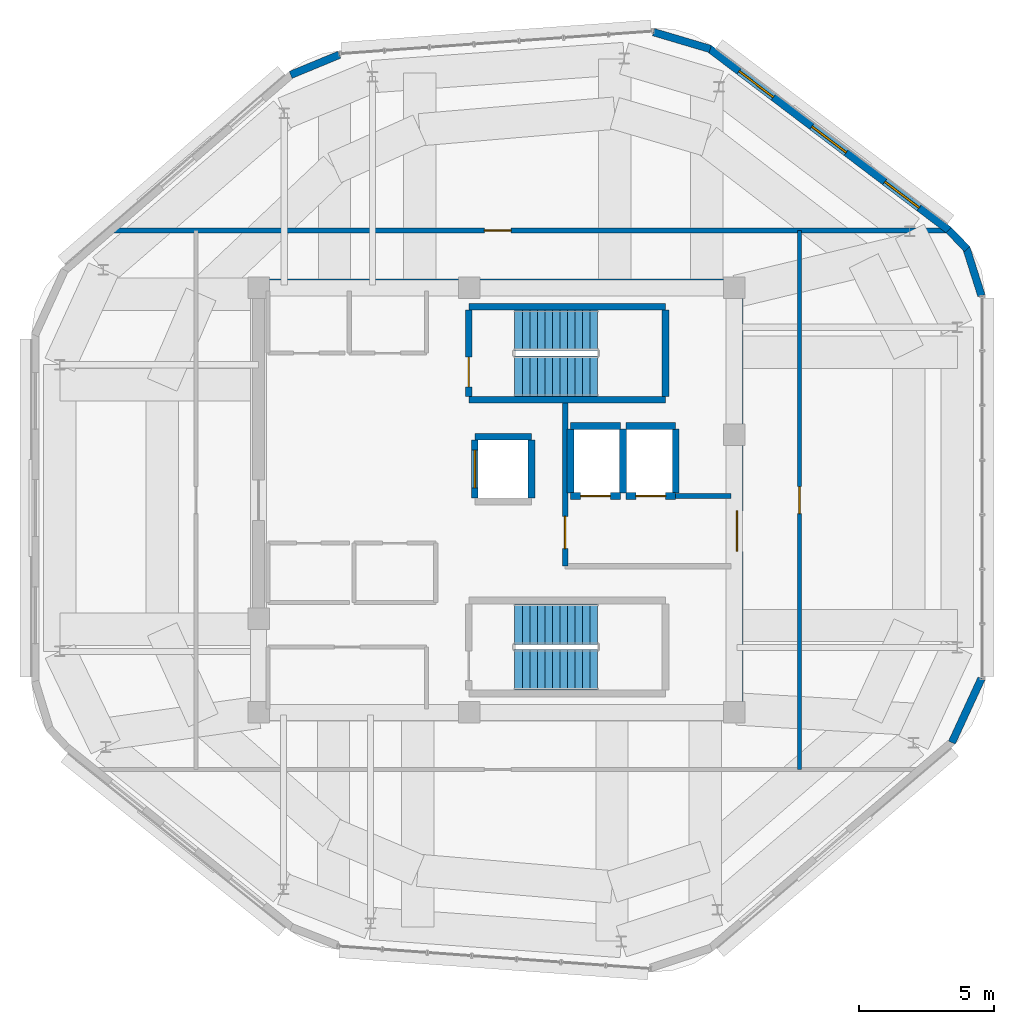
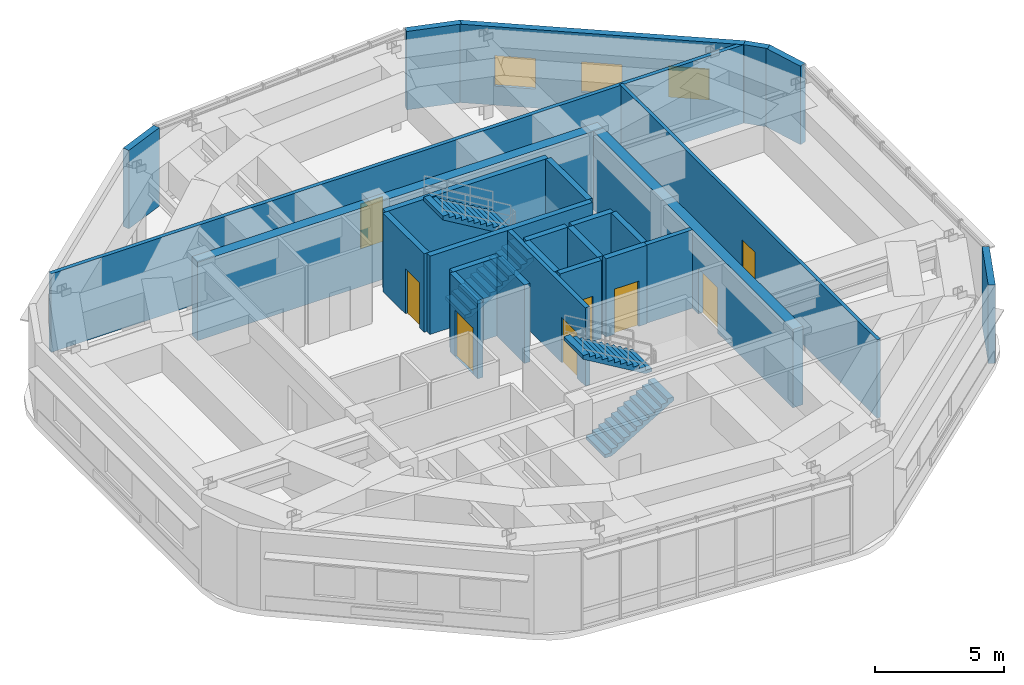
# One storey, part 11 of 12: 26 walls, 8 doors, 4 stair flights, 3 windows, 11 openings, 2 elements without a shape of their own.
"""IFC4 building model written with IfcOpenShell, lengths in metres."""

from ifc_helpers import new_model, si_unit, direction, frame, frame_2d, origin, place, context, subcontext, project, spatial, polyline, rectangle, outline, extrude, material, layer, layer_set, type_object, element, fill, aggregate, save


model = new_model("IFC4")

# Units and contexts
model_context = context("Model", 3, precision=1e-05, world=origin(), true_north=direction((0.0, 1.0)))
body_context = subcontext(model_context, "Body", "Model", "MODEL_VIEW")
ifc_project = project(units=[si_unit("LENGTHUNIT", "METRE"), si_unit("AREAUNIT", "SQUARE_METRE"), si_unit("VOLUMEUNIT", "CUBIC_METRE"), si_unit("PLANEANGLEUNIT", "RADIAN"), si_unit("MASSUNIT", "GRAM", prefix="KILO")], contexts=[model_context])

# Site, building, storey
site_placement = place(None, origin())
site = spatial("IfcSite", under=ifc_project, at=site_placement, CompositionType="ELEMENT")
building_placement = place(site_placement, origin())
building = spatial("IfcBuilding", under=site, at=building_placement, Name="Zulverin Broadcast Headquarters", CompositionType="ELEMENT")
storey_placement = place(building_placement, frame((0.0, 0.0, 325.39990234375)))
storey = spatial("IfcBuildingStorey", under=building, at=storey_placement, Name="C4", CompositionType="ELEMENT", Elevation=325.39990234375)

# Wall
ifc_material_1 = material(Name="Concrete C50/60", Category="concrete")
ifc_layer_1 = layer(ifc_material_1, 0.449951171875, Name="Concrete C50/60", Category="concrete")
ifc_layer_set_1 = layer_set([ifc_layer_1], Name="Concrete C50/60")
wall_type_1 = type_object("IfcWallType", Name="WL-CORE-450", PredefinedType="SHEAR", material=ifc_layer_set_1)
wall_1_placement = place(storey_placement, frame((30.39990234375, 33.175048828125, 0.0), z_axis=(0.0, 0.0, 1.0), x_axis=(1.0, 0.0, 0.0)))
element("IfcWall", 1, at=wall_1_placement, inside=storey, type_object=wall_type_1, Name="C4 Core North Shear Wall", PredefinedType="SHEAR", context=body_context, shape_type="SweptSolid", body=[
    extrude(rectangle(XDim=18.2001953125, YDim=0.449951171875, at=frame_2d((9.10009765625, 0.0))), origin(), (0.0, 0.0, 1.0), 3.72021484375),
])

# Wall, opening, door
wall_2_placement = place(storey_placement, frame((48.375, 17.449951171875, 0.0), z_axis=(0.0, 0.0, 1.0), x_axis=(0.0, 1.0, 0.0)))
wall_2 = element("IfcWall", 2, at=wall_2_placement, inside=storey, type_object=wall_type_1, Name="C4 Core East Shear Wall", PredefinedType="SHEAR", context=body_context, shape_type="SweptSolid", body=[
    extrude(rectangle(XDim=15.5, YDim=0.449951171875, at=frame_2d((7.75, 0.0))), origin(), (0.0, 0.0, 1.0), 3.72021484375),
])
opening_1_placement = place(wall_2_placement, frame((5.85009765625, 0.0, 0.0)))
opening_1 = element("IfcOpeningElement", 3, at=opening_1_placement, cuts=wall_2, Name="Opening D-C4-CE1", PredefinedType="OPENING", context=body_context, shape_type="SweptSolid", body=[
    extrude(rectangle(XDim=1.5, YDim=2.14990234375, at=frame_2d((0.75, 1.074951171875))), frame((0.0, 0.23486328125, 0.0), z_axis=(0.0, -1.0, 0.0), x_axis=(1.0, 0.0, 0.0)), (0.0, 0.0, 1.0), 0.469970703125),
])
ifc_material_2 = material(Name="Fire-rated glazed steel frame", Category="steel")
door_type_1 = type_object("IfcDoorType", Name="DR-COR-1500", OperationType="DOUBLE_DOOR_SINGLE_SWING", PredefinedType="DOOR", material=ifc_material_2)
door_1_placement = place(opening_1_placement, origin())
door_1 = element("IfcDoor", 4, at=door_1_placement, inside=storey, type_object=door_type_1, Name="C4 Firefighting Lobby East Corridor Door", OperationType="DOUBLE_DOOR_SINGLE_SWING", OverallHeight=2.14990234375, OverallWidth=1.5, PredefinedType="DOOR", context=body_context, shape_type="SweptSolid", body=[
    extrude(rectangle(XDim=1.5, YDim=2.14990234375, at=frame_2d((0.75, 1.074951171875))), frame((0.0, 0.02490234375, 0.0), z_axis=(0.0, -1.0, 0.0), x_axis=(1.0, 0.0, 0.0)), (0.0, 0.0, 1.0), 0.050048828125),
])
fill(opening_1, door_1)

# Wall, openings, windows
ifc_material_3 = material(Name="Insulated pale-metal clad concrete spandrel C40/50", Category="concrete")
ifc_layer_2 = layer(ifc_material_3, 0.280029296875, Name="Insulated pale-metal clad concrete spandrel C40/50", Category="concrete")
ifc_layer_set_2 = layer_set([ifc_layer_2], Name="Insulated pale-metal clad concrete spandrel C40/50")
wall_type_2 = type_object("IfcWallType", Name="WL-EXT-280", PredefinedType="STANDARD", material=ifc_layer_set_2)
wall_3_placement = place(storey_placement, frame((56.24951171875, 35.200927734375, 0.0), z_axis=(0.0, 0.0, 1.0), x_axis=(-0.796694895732, 0.60438170316, 0.0)))
wall_3 = element("IfcWall", 5, at=wall_3_placement, inside=storey, type_object=wall_type_2, Name="C4 Pale-Metal Clad Spandrel Wall 4", PredefinedType="STANDARD", context=body_context, shape_type="SweptSolid", body=[
    extrude(rectangle(XDim=11.182861328125, YDim=0.280029296875, at=frame_2d((5.59130859375, 0.0))), origin(), (0.0, 0.0, 1.0), 3.72021484375),
])
opening_2_placement = place(wall_3_placement, frame((1.397216796875, 0.0, 0.89990234375)))
opening_2 = element("IfcOpeningElement", 6, at=opening_2_placement, cuts=wall_3, Name="Opening W-C4-E41", PredefinedType="OPENING", context=body_context, shape_type="SweptSolid", body=[
    extrude(rectangle(XDim=1.60009765625, YDim=1.449951171875, at=frame_2d((0.800048828125, 0.72509765625))), frame((0.0, 0.14990234375, 0.0), z_axis=(0.0, -1.0, 0.0), x_axis=(1.0, 0.0, 0.0)), (0.0, 0.0, 1.0), 0.300048828125),
])
opening_3_placement = place(wall_3_placement, frame((4.79150390625, 0.0, 0.89990234375)))
opening_3 = element("IfcOpeningElement", 7, at=opening_3_placement, cuts=wall_3, Name="Opening W-C4-E42", PredefinedType="OPENING", context=body_context, shape_type="SweptSolid", body=[
    extrude(rectangle(XDim=1.60009765625, YDim=1.449951171875, at=frame_2d((0.800048828125, 0.72509765625))), frame((0.0, 0.14990234375, 0.0), z_axis=(0.0, -1.0, 0.0), x_axis=(1.0, 0.0, 0.0)), (0.0, 0.0, 1.0), 0.300048828125),
])
opening_4_placement = place(wall_3_placement, frame((8.185546875, 0.0, 0.89990234375)))
opening_4 = element("IfcOpeningElement", 8, at=opening_4_placement, cuts=wall_3, Name="Opening W-C4-E43", PredefinedType="OPENING", context=body_context, shape_type="SweptSolid", body=[
    extrude(rectangle(XDim=1.60009765625, YDim=1.449951171875, at=frame_2d((0.800048828125, 0.72509765625))), frame((0.0, 0.14990234375, 0.0), z_axis=(0.0, -1.0, 0.0), x_axis=(1.0, 0.0, 0.0)), (0.0, 0.0, 1.0), 0.300048828125),
])
ifc_material_4 = material(Name="Pale anodized aluminium frame with solar-control low-E double glazing", Category="aluminium")
window_type = type_object("IfcWindowType", Name="WIN-CRN-1600", PartitioningType="SINGLE_PANEL", PredefinedType="WINDOW", material=ifc_material_4)
window_1_placement = place(opening_2_placement, origin())
window_1 = element("IfcWindow", 9, at=window_1_placement, inside=storey, type_object=window_type, Name="C4 Ribbon Glazing Window 4 1", OverallHeight=1.449951171875, OverallWidth=1.60009765625, PartitioningType="SINGLE_PANEL", PredefinedType="WINDOW", context=body_context, shape_type="SweptSolid", body=[
    extrude(rectangle(XDim=1.60009765625, YDim=1.449951171875, at=frame_2d((0.800048828125, 0.72509765625))), frame((0.0, 0.030029296875, 0.0), z_axis=(0.0, -1.0, 0.0), x_axis=(1.0, 0.0, 0.0)), (0.0, 0.0, 1.0), 0.06005859375),
])
fill(opening_2, window_1)
window_2_placement = place(opening_3_placement, origin())
window_2 = element("IfcWindow", 10, at=window_2_placement, inside=storey, type_object=window_type, Name="C4 Ribbon Glazing Window 4 2", OverallHeight=1.449951171875, OverallWidth=1.60009765625, PartitioningType="SINGLE_PANEL", PredefinedType="WINDOW", context=body_context, shape_type="SweptSolid", body=[
    extrude(rectangle(XDim=1.60009765625, YDim=1.449951171875, at=frame_2d((0.800048828125, 0.72509765625))), frame((0.0, 0.030029296875, 0.0), z_axis=(0.0, -1.0, 0.0), x_axis=(1.0, 0.0, 0.0)), (0.0, 0.0, 1.0), 0.06005859375),
])
fill(opening_3, window_2)
window_3_placement = place(opening_4_placement, origin())
window_3 = element("IfcWindow", 11, at=window_3_placement, inside=storey, type_object=window_type, Name="C4 Ribbon Glazing Window 4 3", OverallHeight=1.449951171875, OverallWidth=1.60009765625, PartitioningType="SINGLE_PANEL", PredefinedType="WINDOW", context=body_context, shape_type="SweptSolid", body=[
    extrude(rectangle(XDim=1.60009765625, YDim=1.449951171875, at=frame_2d((0.800048828125, 0.72509765625))), frame((0.0, 0.030029296875, 0.0), z_axis=(0.0, -1.0, 0.0), x_axis=(1.0, 0.0, 0.0)), (0.0, 0.0, 1.0), 0.06005859375),
])
fill(opening_4, window_3)

# Walls
wall_4_placement = place(storey_placement, frame((56.35009765625, 16.20458984375, 0.0), z_axis=(0.0, 0.0, 1.0), x_axis=(0.418839145957, 0.908060443921, 0.0)))
element("IfcWall", 12, at=wall_4_placement, inside=storey, type_object=wall_type_2, Name="C4 Wind-Shaped Corner Spandrel Wall 2-1", PredefinedType="STANDARD", context=body_context, shape_type="SweptSolid", body=[
    extrude(rectangle(XDim=2.615478515625, YDim=0.280029296875, at=frame_2d((1.3076171875, 0.0))), origin(), (0.0, 0.0, 1.0), 3.72021484375),
])
wall_5_placement = place(storey_placement, frame((57.447021484375, 32.78271484375, 0.0), z_axis=(0.0, 0.0, 1.0), x_axis=(-0.302530200683, 0.953139799649, 0.0)))
element("IfcWall", 13, at=wall_5_placement, inside=storey, type_object=wall_type_2, Name="C4 Wind-Shaped Corner Spandrel Wall 3-1", PredefinedType="STANDARD", context=body_context, shape_type="SweptSolid", body=[
    extrude(rectangle(XDim=1.87060546875, YDim=0.280029296875, at=frame_2d((0.935302734375, 0.0))), origin(), (0.0, 0.0, 1.0), 3.72021484375),
])
wall_6_placement = place(storey_placement, frame((56.913818359375, 34.5107421875, 0.0), z_axis=(0.0, 0.0, 1.0), x_axis=(-0.694785794461, 0.719216726595, 0.0)))
element("IfcWall", 14, at=wall_6_placement, inside=storey, type_object=wall_type_2, Name="C4 Wind-Shaped Corner Spandrel Wall 3-2", PredefinedType="STANDARD", context=body_context, shape_type="SweptSolid", body=[
    extrude(rectangle(XDim=0.979248046875, YDim=0.280029296875, at=frame_2d((0.48974609375, 0.0))), origin(), (0.0, 0.0, 1.0), 3.72021484375),
])
wall_7_placement = place(storey_placement, frame((47.385009765625, 41.93701171875, 0.0), z_axis=(0.0, 0.0, 1.0), x_axis=(-0.958653038593, 0.284577496643, 0.0)))
element("IfcWall", 15, at=wall_7_placement, inside=storey, type_object=wall_type_2, Name="C4 Wind-Shaped Corner Spandrel Wall 4-1", PredefinedType="STANDARD", context=body_context, shape_type="SweptSolid", body=[
    extrude(rectangle(XDim=2.19189453125, YDim=0.280029296875, at=frame_2d((1.095947265625, 0.0))), origin(), (0.0, 0.0, 1.0), 3.72021484375),
])
wall_8_placement = place(storey_placement, frame((33.62109375, 41.72216796875, 0.0), z_axis=(0.0, 0.0, 1.0), x_axis=(-0.923984824036, -0.382429137162, 0.0)))
element("IfcWall", 16, at=wall_8_placement, inside=storey, type_object=wall_type_2, Name="C4 Wind-Shaped Corner Spandrel Wall 5-1", PredefinedType="STANDARD", context=body_context, shape_type="SweptSolid", body=[
    extrude(rectangle(XDim=1.95166015625, YDim=0.280029296875, at=frame_2d((0.975830078125, 0.0))), origin(), (0.0, 0.0, 1.0), 3.72021484375),
])

# Wall, opening, door
ifc_material_5 = material(Name="Concrete C40/50", Category="concrete")
ifc_layer_3 = layer(ifc_material_5, 0.199951171875, Name="Concrete C40/50", Category="concrete")
ifc_layer_set_3 = layer_set([ifc_layer_3], Name="Concrete C40/50")
wall_type_3 = type_object("IfcWallType", Name="WL-FFL-200", PredefinedType="SOLIDWALL", material=ifc_layer_set_3)
wall_9_placement = place(storey_placement, frame((42.0, 22.75, 0.0), z_axis=(0.0, 0.0, 1.0), x_axis=(0.0, 1.0, 0.0)))
wall_9 = element("IfcWall", 17, at=wall_9_placement, inside=storey, type_object=wall_type_3, Name="C4 Firefighting Lift Lobby West Wall", PredefinedType="SOLIDWALL", context=body_context, shape_type="SweptSolid", body=[
    extrude(rectangle(XDim=6.050048828125, YDim=0.199951171875, at=frame_2d((3.02490234375, 0.0))), origin(), (0.0, 0.0, 1.0), 3.72021484375),
])
opening_5_placement = place(wall_9_placement, frame((0.64990234375, 0.0, 0.0)))
opening_5 = element("IfcOpeningElement", 18, at=opening_5_placement, cuts=wall_9, Name="Opening D-C4-FFLW", PredefinedType="OPENING", context=body_context, shape_type="SweptSolid", body=[
    extrude(rectangle(XDim=1.199951171875, YDim=2.14990234375, at=frame_2d((0.60009765625, 1.074951171875))), frame((0.0, 0.10986328125, 0.0), z_axis=(0.0, -1.0, 0.0), x_axis=(1.0, 0.0, 0.0)), (0.0, 0.0, 1.0), 0.219970703125),
])
ifc_material_6 = material(Name="Fire-rated steel leaf and frame", Category="steel")
door_type_2 = type_object("IfcDoorType", Name="DR-FFL-1200", OperationType="SINGLE_SWING_RIGHT", PredefinedType="DOOR", material=ifc_material_6)
door_2_placement = place(opening_5_placement, origin())
door_2 = element("IfcDoor", 19, at=door_2_placement, inside=storey, type_object=door_type_2, Name="C4 Firefighting Lift Lobby Door", OperationType="SINGLE_SWING_RIGHT", OverallHeight=2.14990234375, OverallWidth=1.199951171875, PredefinedType="DOOR", context=body_context, shape_type="SweptSolid", body=[
    extrude(rectangle(XDim=1.199951171875, YDim=2.14990234375, at=frame_2d((0.60009765625, 1.074951171875))), frame((0.0, 0.02490234375, 0.0), z_axis=(0.0, -1.0, 0.0), x_axis=(1.0, 0.0, 0.0)), (0.0, 0.0, 1.0), 0.050048828125),
])
fill(opening_5, door_2)

# Wall
wall_10_placement = place(storey_placement, frame((46.10009765625, 25.35009765625, 0.0), z_axis=(0.0, 0.0, 1.0), x_axis=(1.0, 0.0, 0.0)))
element("IfcWall", 20, at=wall_10_placement, inside=storey, type_object=wall_type_3, Name="C4 Firefighting Lift Lobby North Wall", PredefinedType="SOLIDWALL", context=body_context, shape_type="SweptSolid", body=[
    extrude(rectangle(XDim=2.0498046875, YDim=0.199951171875, at=frame_2d((1.02490234375, 0.0))), origin(), (0.0, 0.0, 1.0), 3.72021484375),
])

# Wall, opening, door
ifc_material_7 = material(Name="Fire-rated gypsum stud partition", Category="gypsum")
ifc_layer_4 = layer(ifc_material_7, 0.14990234375, Name="Fire-rated gypsum stud partition", Category="gypsum")
ifc_layer_set_4 = layer_set([ifc_layer_4], Name="Fire-rated gypsum stud partition")
wall_type_4 = type_object("IfcWallType", Name="WL-PART-150", PredefinedType="PARTITIONING", material=ifc_layer_set_4)
wall_11_placement = place(storey_placement, frame((50.699951171875, 15.199951171875, 0.0), z_axis=(0.0, 0.0, 1.0), x_axis=(0.0, 1.0, 0.0)))
wall_11 = element("IfcWall", 21, at=wall_11_placement, inside=storey, type_object=wall_type_4, Name="C4 Gallery Partition Wall CG-01", PredefinedType="PARTITIONING", context=body_context, shape_type="SweptSolid", body=[
    extrude(rectangle(XDim=20.0, YDim=0.14990234375, at=frame_2d((10.0, 0.0))), origin(), (0.0, 0.0, 1.0), 3.72021484375),
])
opening_6_placement = place(wall_11_placement, frame((9.5, 0.0, 0.0)))
opening_6 = element("IfcOpeningElement", 22, at=opening_6_placement, cuts=wall_11, Name="Opening D-C4-CR2", PredefinedType="OPENING", context=body_context, shape_type="SweptSolid", body=[
    extrude(rectangle(XDim=1.0, YDim=2.1201171875, at=frame_2d((0.5, 1.06005859375))), frame((0.0, 0.0849609375, 0.0), z_axis=(0.0, -1.0, 0.0), x_axis=(1.0, 0.0, 0.0)), (0.0, 0.0, 1.0), 0.169921875),
])
ifc_material_8 = material(Name="Hardwood veneer acoustic leaf", Category="wood")
door_type_3 = type_object("IfcDoorType", Name="DR-OFF-1000", OperationType="SINGLE_SWING_LEFT", PredefinedType="DOOR", material=ifc_material_8)
door_3_placement = place(opening_6_placement, origin())
door_3 = element("IfcDoor", 23, at=door_3_placement, inside=storey, type_object=door_type_3, Name="C4 Broadcast Transmitter Plant Room Door", OperationType="SINGLE_SWING_LEFT", OverallHeight=2.1201171875, OverallWidth=1.0, PredefinedType="DOOR", context=body_context, shape_type="SweptSolid", body=[
    extrude(rectangle(XDim=1.0, YDim=2.1201171875, at=frame_2d((0.5, 1.06005859375))), frame((0.0, 0.02490234375, 0.0), z_axis=(0.0, -1.0, 0.0), x_axis=(1.0, 0.0, 0.0)), (0.0, 0.0, 1.0), 0.050048828125),
])
fill(opening_6, door_3)

ifc_material_9 = material(Name="Fire-rated acoustic stud wall", Category="gypsum")
ifc_layer_5 = layer(ifc_material_9, 0.175048828125, Name="Fire-rated acoustic stud wall", Category="gypsum")
ifc_layer_set_5 = layer_set([ifc_layer_5], Name="Fire-rated acoustic stud wall")
wall_type_5 = type_object("IfcWallType", Name="WL-PART-175", PredefinedType="PARTITIONING", material=ifc_layer_set_5)
wall_12_placement = place(storey_placement, frame((25.07421875, 35.199951171875, 0.0), z_axis=(0.0, 0.0, 1.0), x_axis=(1.0, 0.0, 0.0)))
wall_12 = element("IfcWall", 24, at=wall_12_placement, inside=storey, type_object=wall_type_5, Name="C4 Gallery Partition Wall CG-04", PredefinedType="PARTITIONING", context=body_context, shape_type="SweptSolid", body=[
    extrude(rectangle(XDim=31.228271484375, YDim=0.175048828125, at=frame_2d((15.6142578125, 0.0))), origin(), (0.0, 0.0, 1.0), 3.72021484375),
])
opening_7_placement = place(wall_12_placement, frame((13.92578125, 0.0, 0.0)))
opening_7 = element("IfcOpeningElement", 25, at=opening_7_placement, cuts=wall_12, Name="Opening D-C4-CR3", PredefinedType="OPENING", context=body_context, shape_type="SweptSolid", body=[
    extrude(rectangle(XDim=1.0, YDim=2.1201171875, at=frame_2d((0.5, 1.06005859375))), frame((0.0, 0.097412109375, 0.0), z_axis=(0.0, -1.0, 0.0), x_axis=(1.0, 0.0, 0.0)), (0.0, 0.0, 1.0), 0.195068359375),
])
door_4_placement = place(opening_7_placement, origin())
door_4 = element("IfcDoor", 26, at=door_4_placement, inside=storey, type_object=door_type_3, Name="C4 Crown Cooling & Chiller Plant Room Door", OperationType="SINGLE_SWING_RIGHT", OverallHeight=2.1201171875, OverallWidth=1.0, PredefinedType="DOOR", context=body_context, shape_type="SweptSolid", body=[
    extrude(rectangle(XDim=1.0, YDim=2.1201171875, at=frame_2d((0.5, 1.06005859375))), frame((0.0, 0.02490234375, 0.0), z_axis=(0.0, -1.0, 0.0), x_axis=(1.0, 0.0, 0.0)), (0.0, 0.0, 1.0), 0.050048828125),
])
fill(opening_7, door_4)

# Walls
ifc_layer_6 = layer(ifc_material_1, 0.25, Name="Concrete C50/60", Category="concrete")
ifc_layer_set_6 = layer_set([ifc_layer_6], Name="Concrete C50/60")
wall_type_6 = type_object("IfcWallType", Name="WL-SHAFT-250", PredefinedType="SHEAR", material=ifc_layer_set_6)
for number, where, z_axis, x_axis, name in (
    (27, (38.425048828125, 28.925048828125, 0.0), (0.0, 0.0, 1.0), (1.0, 0.0, 0.0), "C4 ST-1 Enclosure Wall S"),
    (28, (38.425048828125, 32.375, 0.0), (0.0, 0.0, 1.0), (1.0, 0.0, 0.0), "C4 ST-1 Enclosure Wall N"),
):
    element("IfcWall", number, at=place(storey_placement, frame(where, z_axis=z_axis, x_axis=x_axis)), inside=storey, type_object=wall_type_6, Name=name, PredefinedType="SHEAR", context=body_context, shape_type="SweptSolid", body=[
        extrude(rectangle(XDim=7.300048828125, YDim=0.25, at=frame_2d((3.64990234375, 0.0))), origin(), (0.0, 0.0, 1.0), 3.72021484375),
    ])

# Wall, opening, door
wall_13_placement = place(storey_placement, frame((38.425048828125, 29.050048828125, 0.0), z_axis=(0.0, 0.0, 1.0), x_axis=(0.0, 1.0, 0.0)))
wall_13 = element("IfcWall", 29, at=wall_13_placement, inside=storey, type_object=wall_type_6, Name="C4 ST-1 Enclosure Wall W", PredefinedType="SHEAR", context=body_context, shape_type="SweptSolid", body=[
    extrude(rectangle(XDim=3.199951171875, YDim=0.25, at=frame_2d((1.60009765625, 0.0))), origin(), (0.0, 0.0, 1.0), 3.72021484375),
])
opening_8_placement = place(wall_13_placement, frame((0.35009765625, 0.0, 0.0)))
opening_8 = element("IfcOpeningElement", 30, at=opening_8_placement, cuts=wall_13, Name="Opening D-C4-ST-1", PredefinedType="OPENING", context=body_context, shape_type="SweptSolid", body=[
    extrude(rectangle(XDim=1.10009765625, YDim=2.14990234375, at=frame_2d((0.550048828125, 1.074951171875))), frame((0.0, 0.135009765625, 0.0), z_axis=(0.0, -1.0, 0.0), x_axis=(1.0, 0.0, 0.0)), (0.0, 0.0, 1.0), 0.27001953125),
])
door_type_4 = type_object("IfcDoorType", Name="DR-STAIR-1100", OperationType="SINGLE_SWING_LEFT", PredefinedType="DOOR", material=ifc_material_6)
door_5_placement = place(opening_8_placement, origin())
door_5 = element("IfcDoor", 31, at=door_5_placement, inside=storey, type_object=door_type_4, Name="C4 Exit Stair ST-1 Fire Door", OperationType="SINGLE_SWING_LEFT", OverallHeight=2.14990234375, OverallWidth=1.10009765625, PredefinedType="DOOR", context=body_context, shape_type="SweptSolid", body=[
    extrude(rectangle(XDim=1.10009765625, YDim=2.14990234375, at=frame_2d((0.550048828125, 1.074951171875))), frame((0.0, 0.02490234375, 0.0), z_axis=(0.0, -1.0, 0.0), x_axis=(1.0, 0.0, 0.0)), (0.0, 0.0, 1.0), 0.050048828125),
])
fill(opening_8, door_5)

# Wall
wall_14_placement = place(storey_placement, frame((45.72509765625, 29.050048828125, 0.0), z_axis=(0.0, 0.0, 1.0), x_axis=(0.0, 1.0, 0.0)))
element("IfcWall", 32, at=wall_14_placement, inside=storey, type_object=wall_type_6, Name="C4 ST-1 Enclosure Wall E", PredefinedType="SHEAR", context=body_context, shape_type="SweptSolid", body=[
    extrude(rectangle(XDim=3.199951171875, YDim=0.25, at=frame_2d((1.60009765625, 0.0))), origin(), (0.0, 0.0, 1.0), 3.72021484375),
])

# Wall, opening, door
wall_15_placement = place(storey_placement, frame((42.199951171875, 25.35009765625, 0.0), z_axis=(0.0, 0.0, 1.0), x_axis=(1.0, 0.0, 0.0)))
wall_15 = element("IfcWall", 33, at=wall_15_placement, inside=storey, type_object=wall_type_6, Name="C4 Lift FFL-1 Shaft Wall S", PredefinedType="SHEAR", context=body_context, shape_type="SweptSolid", body=[
    extrude(rectangle(XDim=1.85009765625, YDim=0.25, at=frame_2d((0.925048828125, 0.0))), origin(), (0.0, 0.0, 1.0), 3.72021484375),
])
opening_9_placement = place(wall_15_placement, frame((0.375, 0.0, 0.0)))
opening_9 = element("IfcOpeningElement", 34, at=opening_9_placement, cuts=wall_15, Name="Opening LD-FFL-1-C4", PredefinedType="OPENING", context=body_context, shape_type="SweptSolid", body=[
    extrude(rectangle(XDim=1.10009765625, YDim=2.14990234375, at=frame_2d((0.550048828125, 1.074951171875))), frame((0.0, 0.135009765625, 0.0), z_axis=(0.0, -1.0, 0.0), x_axis=(1.0, 0.0, 0.0)), (0.0, 0.0, 1.0), 0.27001953125),
])
ifc_material_10 = material(Name="Fire-rated stainless landing door", Category="steel")
door_type_5 = type_object("IfcDoorType", Name="LD-FFL-1100", OperationType="DOUBLE_DOOR_SLIDING", PredefinedType="DOOR", material=ifc_material_10)
door_6_placement = place(opening_9_placement, origin())
door_6 = element("IfcDoor", 35, at=door_6_placement, inside=storey, type_object=door_type_5, Name="C4 Lift FFL-1 Sliding Landing Door", OperationType="DOUBLE_DOOR_SLIDING", OverallHeight=2.14990234375, OverallWidth=1.10009765625, PredefinedType="DOOR", context=body_context, shape_type="SweptSolid", body=[
    extrude(rectangle(XDim=1.10009765625, YDim=2.14990234375, at=frame_2d((0.550048828125, 1.074951171875))), frame((0.0, 0.02490234375, 0.0), z_axis=(0.0, -1.0, 0.0), x_axis=(1.0, 0.0, 0.0)), (0.0, 0.0, 1.0), 0.050048828125),
])
fill(opening_9, door_6)

# Walls
wall_16_placement = place(storey_placement, frame((42.199951171875, 27.949951171875, 0.0), z_axis=(0.0, 0.0, 1.0), x_axis=(1.0, 0.0, 0.0)))
element("IfcWall", 36, at=wall_16_placement, inside=storey, type_object=wall_type_6, Name="C4 Lift FFL-1 Shaft Wall N", PredefinedType="SHEAR", context=body_context, shape_type="SweptSolid", body=[
    extrude(rectangle(XDim=1.85009765625, YDim=0.25, at=frame_2d((0.925048828125, 0.0))), origin(), (0.0, 0.0, 1.0), 3.72021484375),
])
for number, where, z_axis, x_axis, name in (
    (37, (42.199951171875, 25.469970703125, 0.0), (0.0, 0.0, 1.0), (0.0, 1.0, 0.0), "C4 Lift FFL-1 Shaft Wall W"),
    (38, (44.14990234375, 25.469970703125, 0.0), (0.0, 0.0, 1.0), (0.0, 1.0, 0.0), "C4 Lift FFL-1 Shaft Wall E"),
):
    element("IfcWall", number, at=place(storey_placement, frame(where, z_axis=z_axis, x_axis=x_axis)), inside=storey, type_object=wall_type_6, Name=name, PredefinedType="SHEAR", context=body_context, shape_type="SweptSolid", body=[
        extrude(rectangle(XDim=2.360107421875, YDim=0.25, at=frame_2d((1.18017578125, 0.0))), origin(), (0.0, 0.0, 1.0), 3.72021484375),
    ])

# Wall, opening, door
wall_17_placement = place(storey_placement, frame((44.25, 25.35009765625, 0.0), z_axis=(0.0, 0.0, 1.0), x_axis=(1.0, 0.0, 0.0)))
wall_17 = element("IfcWall", 39, at=wall_17_placement, inside=storey, type_object=wall_type_6, Name="C4 Lift FFL-2 Shaft Wall S", PredefinedType="SHEAR", context=body_context, shape_type="SweptSolid", body=[
    extrude(rectangle(XDim=1.85009765625, YDim=0.25, at=frame_2d((0.925048828125, 0.0))), origin(), (0.0, 0.0, 1.0), 3.72021484375),
])
opening_10_placement = place(wall_17_placement, frame((0.375, 0.0, 0.0)))
opening_10 = element("IfcOpeningElement", 40, at=opening_10_placement, cuts=wall_17, Name="Opening LD-FFL-2-C4", PredefinedType="OPENING", context=body_context, shape_type="SweptSolid", body=[
    extrude(rectangle(XDim=1.10009765625, YDim=2.14990234375, at=frame_2d((0.550048828125, 1.074951171875))), frame((0.0, 0.135009765625, 0.0), z_axis=(0.0, -1.0, 0.0), x_axis=(1.0, 0.0, 0.0)), (0.0, 0.0, 1.0), 0.27001953125),
])
door_7_placement = place(opening_10_placement, origin())
door_7 = element("IfcDoor", 41, at=door_7_placement, inside=storey, type_object=door_type_5, Name="C4 Lift FFL-2 Sliding Landing Door", OperationType="DOUBLE_DOOR_SLIDING", OverallHeight=2.14990234375, OverallWidth=1.10009765625, PredefinedType="DOOR", context=body_context, shape_type="SweptSolid", body=[
    extrude(rectangle(XDim=1.10009765625, YDim=2.14990234375, at=frame_2d((0.550048828125, 1.074951171875))), frame((0.0, 0.02490234375, 0.0), z_axis=(0.0, -1.0, 0.0), x_axis=(1.0, 0.0, 0.0)), (0.0, 0.0, 1.0), 0.050048828125),
])
fill(opening_10, door_7)

# Walls
wall_18_placement = place(storey_placement, frame((44.25, 27.949951171875, 0.0), z_axis=(0.0, 0.0, 1.0), x_axis=(1.0, 0.0, 0.0)))
element("IfcWall", 42, at=wall_18_placement, inside=storey, type_object=wall_type_6, Name="C4 Lift FFL-2 Shaft Wall N", PredefinedType="SHEAR", context=body_context, shape_type="SweptSolid", body=[
    extrude(rectangle(XDim=1.85009765625, YDim=0.25, at=frame_2d((0.925048828125, 0.0))), origin(), (0.0, 0.0, 1.0), 3.72021484375),
])
wall_19_placement = place(storey_placement, frame((46.10009765625, 25.469970703125, 0.0), z_axis=(0.0, 0.0, 1.0), x_axis=(0.0, 1.0, 0.0)))
element("IfcWall", 43, at=wall_19_placement, inside=storey, type_object=wall_type_6, Name="C4 Lift FFL-2 Shaft Wall E", PredefinedType="SHEAR", context=body_context, shape_type="SweptSolid", body=[
    extrude(rectangle(XDim=2.360107421875, YDim=0.25, at=frame_2d((1.18017578125, 0.0))), origin(), (0.0, 0.0, 1.0), 3.72021484375),
])
wall_20_placement = place(storey_placement, frame((38.64990234375, 27.550048828125, 0.0), z_axis=(0.0, 0.0, 1.0), x_axis=(1.0, 0.0, 0.0)))
element("IfcWall", 44, at=wall_20_placement, inside=storey, type_object=wall_type_6, Name="C4 Lift SVL-1 Shaft Wall N", PredefinedType="SHEAR", context=body_context, shape_type="SweptSolid", body=[
    extrude(rectangle(XDim=2.10009765625, YDim=0.25, at=frame_2d((1.050048828125, 0.0))), origin(), (0.0, 0.0, 1.0), 3.72021484375),
])

# Wall, opening, door
wall_21_placement = place(storey_placement, frame((38.64990234375, 25.27001953125, 0.0), z_axis=(0.0, 0.0, 1.0), x_axis=(0.0, 1.0, 0.0)))
wall_21 = element("IfcWall", 45, at=wall_21_placement, inside=storey, type_object=wall_type_6, Name="C4 Lift SVL-1 Shaft Wall W", PredefinedType="SHEAR", context=body_context, shape_type="SweptSolid", body=[
    extrude(rectangle(XDim=2.159912109375, YDim=0.25, at=frame_2d((1.080078125, 0.0))), origin(), (0.0, 0.0, 1.0), 3.72021484375),
])
opening_11_placement = place(wall_21_placement, frame((0.3798828125, 0.0, 0.0)))
opening_11 = element("IfcOpeningElement", 46, at=opening_11_placement, cuts=wall_21, Name="Opening LD-SVL-1-C4", PredefinedType="OPENING", context=body_context, shape_type="SweptSolid", body=[
    extrude(rectangle(XDim=1.39990234375, YDim=2.199951171875, at=frame_2d((0.699951171875, 1.10009765625))), frame((0.0, 0.135009765625, 0.0), z_axis=(0.0, -1.0, 0.0), x_axis=(1.0, 0.0, 0.0)), (0.0, 0.0, 1.0), 0.27001953125),
])
ifc_material_11 = material(Name="Heavy-duty stainless landing door", Category="steel")
door_type_6 = type_object("IfcDoorType", Name="LD-GOODS-1400", OperationType="DOUBLE_DOOR_SLIDING", PredefinedType="DOOR", material=ifc_material_11)
door_8_placement = place(opening_11_placement, origin())
door_8 = element("IfcDoor", 47, at=door_8_placement, inside=storey, type_object=door_type_6, Name="C4 Lift SVL-1 Sliding Landing Door", OperationType="DOUBLE_DOOR_SLIDING", OverallHeight=2.199951171875, OverallWidth=1.39990234375, PredefinedType="DOOR", context=body_context, shape_type="SweptSolid", body=[
    extrude(rectangle(XDim=1.39990234375, YDim=2.199951171875, at=frame_2d((0.699951171875, 1.10009765625))), frame((0.0, 0.02490234375, 0.0), z_axis=(0.0, -1.0, 0.0), x_axis=(1.0, 0.0, 0.0)), (0.0, 0.0, 1.0), 0.050048828125),
])
fill(opening_11, door_8)

# Wall
wall_22_placement = place(storey_placement, frame((40.75, 25.27001953125, 0.0), z_axis=(0.0, 0.0, 1.0), x_axis=(0.0, 1.0, 0.0)))
element("IfcWall", 48, at=wall_22_placement, inside=storey, type_object=wall_type_6, Name="C4 Lift SVL-1 Shaft Wall E", PredefinedType="SHEAR", context=body_context, shape_type="SweptSolid", body=[
    extrude(rectangle(XDim=2.159912109375, YDim=0.25, at=frame_2d((1.080078125, 0.0))), origin(), (0.0, 0.0, 1.0), 3.72021484375),
])

# Stair, stair flights
stair_type = type_object("IfcStairType", Name="ST-CORE-1500", PredefinedType="HALF_TURN_STAIR", material=ifc_material_5)
stair_1_placement = place(storey_placement, origin())
stair_1 = element("IfcStair", 49, at=stair_1_placement, inside=storey, type_object=stair_type, Name="C4 Core Exit Stair ST-1", PredefinedType="HALF_TURN_STAIR")
stair_flight_type = type_object("IfcStairFlightType", Name="SF-CORE-1500", PredefinedType="STRAIGHT", material=ifc_material_5)
stair_flight_1_placement = place(storey_placement, frame((40.1298828125, 29.800048828125, 0.0), z_axis=(0.0, 0.0, 1.0), x_axis=(1.0, 0.0, 0.0)))
stair_flight_1 = element("IfcStairFlight", 50, at=stair_flight_1_placement, type_object=stair_flight_type, Name="ST-1 flight 1", NumberOfRisers=12, NumberOfTreads=11, PredefinedType="STRAIGHT", RiserHeight=0.166666667, TreadLength=0.28, context=body_context, shape_type="SweptSolid", body=[
    extrude(outline(polyline([(0.0, 0.0), (0.0, 0.166748046875), (0.280029296875, 0.166748046875), (0.280029296875, 0.333251953125), (0.56005859375, 0.333251953125), (0.56005859375, 0.5), (0.840087890625, 0.5), (0.840087890625, 0.666748046875), (1.1201171875, 0.666748046875), (1.1201171875, 0.833251953125), (1.39990234375, 0.833251953125), (1.39990234375, 1.0), (1.679931640625, 1.0), (1.679931640625, 1.166748046875), (1.9599609375, 1.166748046875), (1.9599609375, 1.333251953125), (2.239990234375, 1.333251953125), (2.239990234375, 1.5), (2.52001953125, 1.5), (2.52001953125, 1.666748046875), (2.800048828125, 1.666748046875), (2.800048828125, 1.833251953125), (3.080078125, 1.833251953125), (3.080078125, 2.0), (3.080078125, 1.658935546875), (0.29296875, 0.0), (0.0, 0.0)])), frame((0.0, 0.75, 0.0), z_axis=(0.0, -1.0, 0.0), x_axis=(1.0, 0.0, 0.0)), (0.0, 0.0, 1.0), 1.5),
])
stair_flight_2_placement = place(storey_placement, frame((43.2099609375, 31.5, 2.0), z_axis=(0.0, 0.0, 1.0), x_axis=(-1.0, 0.0, 0.0)))
stair_flight_2 = element("IfcStairFlight", 51, at=stair_flight_2_placement, type_object=stair_flight_type, Name="ST-1 flight 2", NumberOfRisers=12, NumberOfTreads=11, PredefinedType="STRAIGHT", RiserHeight=0.166666667, TreadLength=0.28, context=body_context, shape_type="SweptSolid", body=[
    extrude(outline(polyline([(0.0, 0.0), (0.0, 0.166748046875), (0.280029296875, 0.166748046875), (0.280029296875, 0.333251953125), (0.56005859375, 0.333251953125), (0.56005859375, 0.5), (0.840087890625, 0.5), (0.840087890625, 0.666748046875), (1.1201171875, 0.666748046875), (1.1201171875, 0.833251953125), (1.39990234375, 0.833251953125), (1.39990234375, 1.0), (1.679931640625, 1.0), (1.679931640625, 1.166748046875), (1.9599609375, 1.166748046875), (1.9599609375, 1.333251953125), (2.239990234375, 1.333251953125), (2.239990234375, 1.5), (2.52001953125, 1.5), (2.52001953125, 1.666748046875), (2.800048828125, 1.666748046875), (2.800048828125, 1.833251953125), (3.080078125, 1.833251953125), (3.080078125, 2.0), (3.080078125, 1.658935546875), (0.29296875, 0.0), (0.0, 0.0)])), frame((0.0, 0.75, 0.0), z_axis=(0.0, -1.0, 0.0), x_axis=(1.0, 0.0, 0.0)), (0.0, 0.0, 1.0), 1.5),
])
aggregate(stair_1, [stair_flight_1, stair_flight_2])

stair_2_placement = place(storey_placement, origin())
stair_2 = element("IfcStair", 52, at=stair_2_placement, inside=storey, type_object=stair_type, Name="C4 Core Exit Stair ST-2", PredefinedType="HALF_TURN_STAIR")
stair_flight_3_placement = place(storey_placement, frame((40.1298828125, 18.89990234375, 0.0), z_axis=(0.0, 0.0, 1.0), x_axis=(1.0, 0.0, 0.0)))
stair_flight_3 = element("IfcStairFlight", 53, at=stair_flight_3_placement, type_object=stair_flight_type, Name="ST-2 flight 1", NumberOfRisers=12, NumberOfTreads=11, PredefinedType="STRAIGHT", RiserHeight=0.166666667, TreadLength=0.28, context=body_context, shape_type="SweptSolid", body=[
    extrude(outline(polyline([(0.0, 0.0), (0.0, 0.166748046875), (0.280029296875, 0.166748046875), (0.280029296875, 0.333251953125), (0.56005859375, 0.333251953125), (0.56005859375, 0.5), (0.840087890625, 0.5), (0.840087890625, 0.666748046875), (1.1201171875, 0.666748046875), (1.1201171875, 0.833251953125), (1.39990234375, 0.833251953125), (1.39990234375, 1.0), (1.679931640625, 1.0), (1.679931640625, 1.166748046875), (1.9599609375, 1.166748046875), (1.9599609375, 1.333251953125), (2.239990234375, 1.333251953125), (2.239990234375, 1.5), (2.52001953125, 1.5), (2.52001953125, 1.666748046875), (2.800048828125, 1.666748046875), (2.800048828125, 1.833251953125), (3.080078125, 1.833251953125), (3.080078125, 2.0), (3.080078125, 1.658935546875), (0.29296875, 0.0), (0.0, 0.0)])), frame((0.0, 0.75, 0.0), z_axis=(0.0, -1.0, 0.0), x_axis=(1.0, 0.0, 0.0)), (0.0, 0.0, 1.0), 1.5),
])
stair_flight_4_placement = place(storey_placement, frame((43.2099609375, 20.60009765625, 2.0), z_axis=(0.0, 0.0, 1.0), x_axis=(-1.0, 0.0, 0.0)))
stair_flight_4 = element("IfcStairFlight", 54, at=stair_flight_4_placement, type_object=stair_flight_type, Name="ST-2 flight 2", NumberOfRisers=12, NumberOfTreads=11, PredefinedType="STRAIGHT", RiserHeight=0.166666667, TreadLength=0.28, context=body_context, shape_type="SweptSolid", body=[
    extrude(outline(polyline([(0.0, 0.0), (0.0, 0.166748046875), (0.280029296875, 0.166748046875), (0.280029296875, 0.333251953125), (0.56005859375, 0.333251953125), (0.56005859375, 0.5), (0.840087890625, 0.5), (0.840087890625, 0.666748046875), (1.1201171875, 0.666748046875), (1.1201171875, 0.833251953125), (1.39990234375, 0.833251953125), (1.39990234375, 1.0), (1.679931640625, 1.0), (1.679931640625, 1.166748046875), (1.9599609375, 1.166748046875), (1.9599609375, 1.333251953125), (2.239990234375, 1.333251953125), (2.239990234375, 1.5), (2.52001953125, 1.5), (2.52001953125, 1.666748046875), (2.800048828125, 1.666748046875), (2.800048828125, 1.833251953125), (3.080078125, 1.833251953125), (3.080078125, 2.0), (3.080078125, 1.658935546875), (0.29296875, 0.0), (0.0, 0.0)])), frame((0.0, 0.75, 0.0), z_axis=(0.0, -1.0, 0.0), x_axis=(1.0, 0.0, 0.0)), (0.0, 0.0, 1.0), 1.5),
])
aggregate(stair_2, [stair_flight_3, stair_flight_4])

save(model, "model.ifc")
